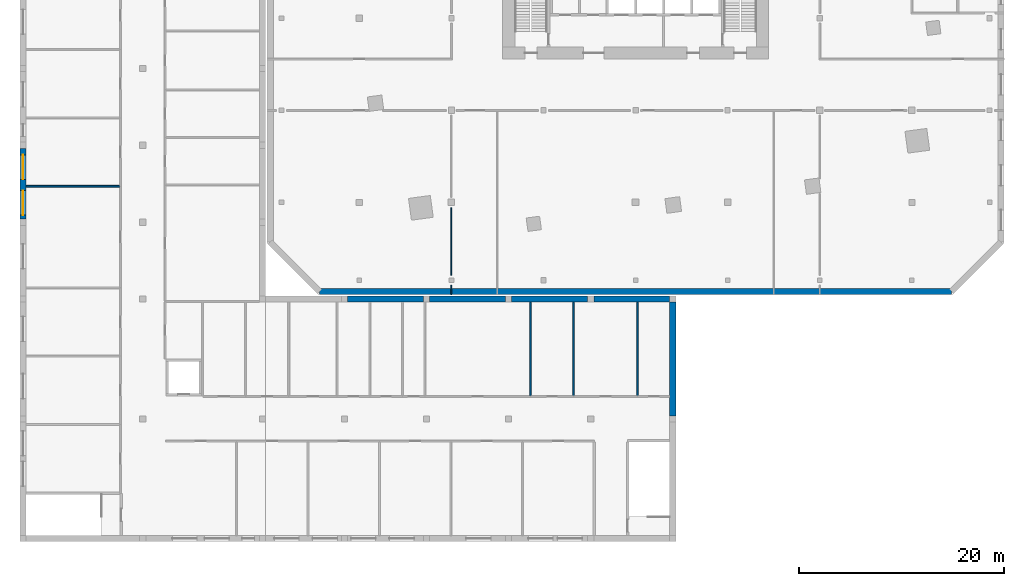
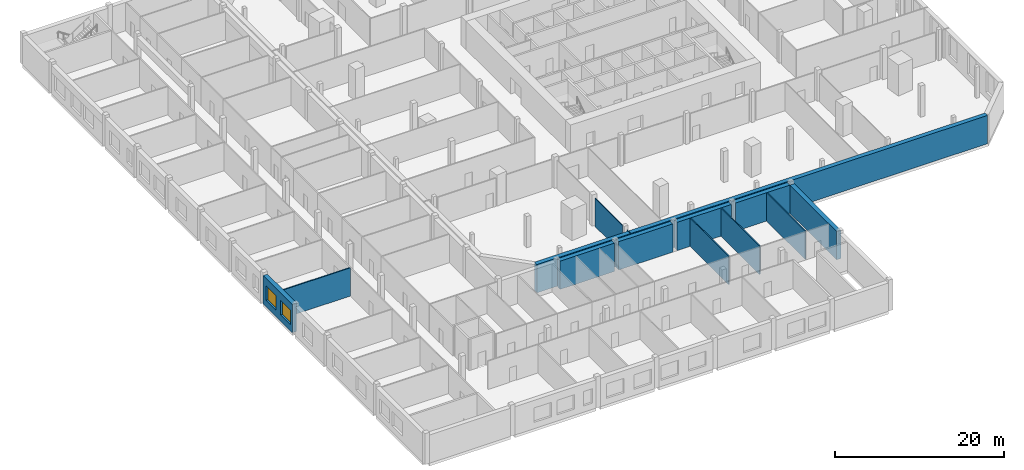
# One storey, part 5 of 18: 13 walls, 2 windows, 2 openings.
"""IFC4 building model written with IfcOpenShell, lengths in metres."""

import ifcopenshell
import ifcopenshell.guid

model = None  # the IFC model being written
_history = None  # IfcOwnerHistory: only IFC2X3 demands one
_inside = {}  # id of a spatial element -> (the spatial element, [elements in it])
_under = {}  # id of a project, library or spatial element -> (it, [spatial elements below it])
_declared = {}  # id of a project -> (the project, [libraries it declares])
_typed = {}  # id of a type object -> (the type object, [elements of that type])
_made_of = {}  # id of a material, layer set ... -> (it, [elements and type objects made of it])


def new_model(schema):
    """Start an empty IFC model of exactly this schema.

    Asked for "IFC4X3", IfcOpenShell would pick the latest addendum, in which some entities
    have other attributes; the version numbers below select the first issue.
    IFC2X3 requires an IfcOwnerHistory on every rooted entity: one is made here for all.
    """
    global model, _history
    if schema == "IFC4X3":
        model = ifcopenshell.file(schema_version=(4, 3, 0, 0))
    else:
        model = ifcopenshell.file(schema=schema)
    _inside.clear()
    _under.clear()
    _declared.clear()
    _typed.clear()
    _made_of.clear()
    _history = None
    if model.schema == "IFC2X3":
        org = make("IfcOrganization", Name="unknown")
        user = make(
            "IfcPersonAndOrganization",
            ThePerson=make("IfcPerson", FamilyName="unknown"),
            TheOrganization=org,
        )
        app = make(
            "IfcApplication",
            ApplicationDeveloper=org,
            Version="unknown",
            ApplicationFullName="unknown",
            ApplicationIdentifier="unknown",
        )
        _history = make(
            "IfcOwnerHistory",
            OwningUser=user,
            OwningApplication=app,
            ChangeAction="ADDED",
            CreationDate=0,
        )
    return model


def make(cls, **values):
    """One entity of the class cls with the attributes given. An attribute that is None is left unset."""
    return model.create_entity(
        cls, **{name: value for name, value in values.items() if value is not None}
    )


def rooted(cls, **values):
    """An entity with a GlobalId (a new one), such as an element, a storey or a relation."""
    return make(cls, GlobalId=ifcopenshell.guid.new(), OwnerHistory=_history, **values)


def si_unit(unit_type, name, prefix=None):
    """IfcSIUnit, for example si_unit("LENGTHUNIT", "METRE", prefix="MILLI")."""
    return make("IfcSIUnit", UnitType=unit_type, Prefix=prefix, Name=name)


def assignment(units):
    """IfcUnitAssignment: the units of a project."""
    return None if units is None else make("IfcUnitAssignment", Units=units)


def point(xyz):
    """IfcCartesianPoint."""
    return None if xyz is None else make("IfcCartesianPoint", Coordinates=xyz)


def direction(xyz):
    """IfcDirection."""
    return None if xyz is None else make("IfcDirection", DirectionRatios=xyz)


def frame(location, z_axis=None, x_axis=None):
    """IfcAxis2Placement3D, a coordinate frame: its origin and axes. An axis left out is left unset."""
    return make(
        "IfcAxis2Placement3D",
        Location=point(location),
        Axis=direction(z_axis),
        RefDirection=direction(x_axis),
    )


def frame_2d(location, x_axis=None):
    """IfcAxis2Placement2D, a coordinate frame in the plane: its origin and x axis."""
    return make(
        "IfcAxis2Placement2D", Location=point(location), RefDirection=direction(x_axis)
    )


def origin():
    """The frame at (0, 0, 0) with its axes left unset."""
    return frame((0.0, 0.0, 0.0))


def place(relative_to, where):
    """IfcLocalPlacement: puts the frame where relative to a parent placement (None: the world)."""
    return make(
        "IfcLocalPlacement", PlacementRelTo=relative_to, RelativePlacement=where
    )


def context(
    kind, dimensions, precision=None, world=None, true_north=None, identifier=None
):
    """IfcGeometricRepresentationContext, for example the 3D "Model" context."""
    return make(
        "IfcGeometricRepresentationContext",
        ContextIdentifier=identifier,
        ContextType=kind,
        CoordinateSpaceDimension=dimensions,
        Precision=precision,
        WorldCoordinateSystem=world,
        TrueNorth=true_north,
    )


def subcontext(parent, identifier, kind, view, scale=None):
    """IfcGeometricRepresentationSubContext, for example "Body" below "Model"."""
    return make(
        "IfcGeometricRepresentationSubContext",
        ContextIdentifier=identifier,
        ContextType=kind,
        ParentContext=parent,
        TargetScale=scale,
        TargetView=view,
    )


def project(units=None, contexts=None):
    """IfcProject with its units and contexts."""
    return rooted(
        "IfcProject",
        Name="project",
        RepresentationContexts=contexts,
        UnitsInContext=assignment(units),
    )


def spatial(cls, under=None, at=None, **own):
    """A site, building, storey or space (cls), placed at a placement, below another one or the project."""
    s = rooted(cls, ObjectPlacement=at, **own)
    if under is not None:
        _under.setdefault(under.id(), (under, []))[1].append(s)
    return s


def profile(cls, at=None, kind="AREA", **sizes):
    """A parametric profile (cls). Its sizes go by their IFC names, for example OverallWidth=200.0."""
    return make(cls, ProfileType=kind, Position=at, **sizes)


def rectangle(**sizes):
    """IfcRectangleProfileDef."""
    return profile("IfcRectangleProfileDef", **sizes)


def extrude(swept, where, along, depth):
    """IfcExtrudedAreaSolid: the profile swept, set in the frame where, extruded along a direction by depth."""
    return make(
        "IfcExtrudedAreaSolid",
        SweptArea=swept,
        Position=where,
        ExtrudedDirection=direction(along),
        Depth=depth,
    )


def shape(context_of_items, identifier, shape_type, items):
    """IfcShapeRepresentation: the items that make up one representation, for example the "Body"."""
    return make(
        "IfcShapeRepresentation",
        ContextOfItems=context_of_items,
        RepresentationIdentifier=identifier,
        RepresentationType=shape_type,
        Items=items,
    )


def material(Name=None, Category=None):
    """IfcMaterial."""
    return make("IfcMaterial", Name=Name, Category=Category)


def layer(
    of_material, thickness, ventilated=None, Name=None, Category=None, Priority=None
):
    """IfcMaterialLayer: one layer of a wall or slab, of a material (None: an air gap)."""
    return make(
        "IfcMaterialLayer",
        Material=of_material,
        LayerThickness=thickness,
        IsVentilated=ventilated,
        Name=Name,
        Category=Category,
        Priority=Priority,
    )


def layer_set(layers, Name=None):
    """IfcMaterialLayerSet."""
    return make("IfcMaterialLayerSet", MaterialLayers=layers, LayerSetName=Name)


def made_of(thing, what):
    """Note that an element or type object is made of a material, layer set ...; save() writes the relation."""
    if what is not None:
        _made_of.setdefault(what.id(), (what, []))[1].append(thing)
    return thing


def type_object(cls, material=None, **own):
    """A type object (cls), such as IfcWallType, which elements share."""
    return made_of(rooted(cls, **own), material)


def element(
    cls,
    number,
    at=None,
    inside=None,
    cuts=None,
    type_object=None,
    material=None,
    context=None,
    identifier="Body",
    shape_type=None,
    held_by="IfcProductDefinitionShape",
    body=None,
    shapes=None,
    **own,
):
    """One element of the class cls, such as IfcWall. Its Tag is "e" and its number.

    at: its placement. inside: the storey or other place that contains it. cuts: it is an
    opening in that element (IfcRelVoidsElement). A single representation is given by context,
    identifier, shape_type and body (its items); several are given by shapes. held_by: the class
    of the entity that holds the representations. save() writes the other relations.
    """
    e = rooted(cls, Tag="e%d" % number, ObjectPlacement=at, **own)
    if body is not None:
        shapes = [shape(context, identifier, shape_type, body)]
    if shapes is not None:
        e.Representation = make(held_by, Representations=shapes)
    if inside is not None:
        _inside.setdefault(inside.id(), (inside, []))[1].append(e)
    if cuts is not None:
        rooted(
            "IfcRelVoidsElement", RelatingBuildingElement=cuts, RelatedOpeningElement=e
        )
    if type_object is not None:
        _typed.setdefault(type_object.id(), (type_object, []))[1].append(e)
    return made_of(e, material)


def fill(opening, filler):
    """IfcRelFillsElement: the door or window that sits in an opening."""
    return rooted(
        "IfcRelFillsElement",
        RelatingOpeningElement=opening,
        RelatedBuildingElement=filler,
    )


def aggregate(whole, parts):
    """IfcRelAggregates: a whole, such as a stair, and the parts it consists of."""
    return rooted("IfcRelAggregates", RelatingObject=whole, RelatedObjects=parts)


def save(model, path):
    """Write the relations noted so far, then the file.

    IfcRelAggregates (storeys below a building ...), IfcRelContainedInSpatialStructure (elements
    in a storey), IfcRelDefinesByType, IfcRelAssociatesMaterial and IfcRelDeclares: one each for
    every whole, place, type object, material and project.
    """
    for whole, parts in _under.values():
        aggregate(whole, parts)
    for where, things in _inside.values():
        rooted(
            "IfcRelContainedInSpatialStructure",
            RelatedElements=things,
            RelatingStructure=where,
        )
    for kind, things in _typed.values():
        rooted("IfcRelDefinesByType", RelatedObjects=things, RelatingType=kind)
    for what, things in _made_of.values():
        rooted("IfcRelAssociatesMaterial", RelatedObjects=things, RelatingMaterial=what)
    for by, libraries in _declared.values():
        rooted("IfcRelDeclares", RelatingContext=by, RelatedDefinitions=libraries)
    model.write(path)


model = new_model("IFC4")

# Units and contexts
model_context = context("Model", 3, precision=1e-05, world=origin(), true_north=direction((0.0, 1.0)))
body_context = subcontext(model_context, "Body", "Model", "MODEL_VIEW")
ifc_project = project(units=[si_unit("LENGTHUNIT", "METRE"), si_unit("AREAUNIT", "SQUARE_METRE"), si_unit("VOLUMEUNIT", "CUBIC_METRE"), si_unit("PLANEANGLEUNIT", "RADIAN"), si_unit("MASSUNIT", "GRAM", prefix="KILO")], contexts=[model_context])

# Site, building, storey
site_placement = place(None, origin())
site = spatial("IfcSite", under=ifc_project, at=site_placement, CompositionType="ELEMENT")
building_placement = place(site_placement, origin())
building = spatial("IfcBuilding", under=site, at=building_placement, Name="Dilmun Exchange Tower", CompositionType="ELEMENT")
storey_placement = place(building_placement, frame((0.0, 0.0, 13.5)))
storey = spatial("IfcBuildingStorey", under=building, at=storey_placement, Name="L03", CompositionType="ELEMENT", Elevation=13.5)

# Walls
ifc_material_1 = material(Name="Partition 100 gypsum")
ifc_layer_1 = layer(ifc_material_1, 0.10009765625)
ifc_layer_set_1 = layer_set([ifc_layer_1], Name="Partition 100 gypsum")
wall_type_1 = type_object("IfcWallType", Name="Partition 100 gypsum", PredefinedType="PARTITIONING", material=ifc_layer_set_1)
wall_1_placement = place(storey_placement, frame((-18.0, -36.0, 0.0), z_axis=(0.0, 0.0, 1.0), x_axis=(0.0, 1.0, 0.0)))
element("IfcWall", 1, at=wall_1_placement, inside=storey, type_object=wall_type_1, Name="L03 partition", PredefinedType="PARTITIONING", context=body_context, shape_type="SweptSolid", body=[
    extrude(rectangle(XDim=0.89990234375, YDim=0.10009765625, at=frame_2d((0.449951171875, 0.0))), origin(), (0.0, 0.0, 1.0), 4.10009765625),
])
wall_2_placement = place(storey_placement, frame((-18.0, -34.10009765625, 0.0), z_axis=(0.0, 0.0, 1.0), x_axis=(0.0, 1.0, 0.0)))
element("IfcWall", 2, at=wall_2_placement, inside=storey, type_object=wall_type_1, Name="L03 partition", PredefinedType="PARTITIONING", context=body_context, shape_type="SweptSolid", body=[
    extrude(rectangle(XDim=6.60009765625, YDim=0.10009765625, at=frame_2d((3.300048828125, 0.0))), origin(), (0.0, 0.0, 1.0), 4.10009765625),
])
ifc_material_2 = material(Name="Precast concrete C50/60", Category="concrete")
ifc_layer_2 = layer(ifc_material_2, 0.60009765625)
ifc_layer_set_2 = layer_set([ifc_layer_2], Name="Precast concrete C50/60")
wall_type_2 = type_object("IfcWallType", Name="Precast stone-clad wall 600", PredefinedType="STANDARD", material=ifc_layer_set_2)
wall_3_placement = place(storey_placement, frame((-30.875732421875, -35.699951171875, 0.0), z_axis=(0.0, 0.0, 1.0), x_axis=(1.0, 0.0, 0.0)))
element("IfcWall", 3, at=wall_3_placement, inside=storey, type_object=wall_type_2, Name="Facade wall L03-00-0", PredefinedType="STANDARD", context=body_context, shape_type="SweptSolid", body=[
    extrude(rectangle(XDim=61.75146484375, YDim=0.60009765625, at=frame_2d((30.875732421875, 0.0))), origin(), (0.0, 0.0, 1.0), 4.10009765625),
])

# Wall, openings, windows
ifc_material_3 = material(Name="Precast concrete C40/50", Category="concrete")
ifc_layer_3 = layer(ifc_material_3, 0.60009765625)
ifc_layer_set_3 = layer_set([ifc_layer_3], Name="Precast concrete C40/50")
wall_type_3 = type_object("IfcWallType", Name="School external wall 600 precast C40/50", PredefinedType="STANDARD", material=ifc_layer_set_3)
wall_4_placement = place(storey_placement, frame((-59.85009765625, -28.6357421875, 0.0), z_axis=(0.0, 0.0, 1.0), x_axis=(0.0, 1.0, 0.0)))
wall_4 = element("IfcWall", 4, at=wall_4_placement, inside=storey, type_object=wall_type_3, Name="School external wall", PredefinedType="STANDARD", context=body_context, shape_type="SweptSolid", body=[
    extrude(rectangle(XDim=6.914306640625, YDim=0.60009765625, at=frame_2d((3.45703125, 0.0))), origin(), (0.0, 0.0, 1.0), 4.10009765625),
])
opening_1_placement = place(wall_4_placement, frame((0.384765625, 0.0, 0.89990234375)))
opening_1 = element("IfcOpeningElement", 5, at=opening_1_placement, cuts=wall_4, Name="Opening SCH-W24", PredefinedType="OPENING", context=body_context, shape_type="SweptSolid", body=[
    extrude(rectangle(XDim=2.39990234375, YDim=2.10009765625, at=frame_2d((1.199951171875, 1.050048828125))), frame((0.0, 0.31005859375, 0.0), z_axis=(0.0, -1.0, 0.0), x_axis=(1.0, 0.0, 0.0)), (0.0, 0.0, 1.0), 0.6201171875),
])
opening_2_placement = place(wall_4_placement, frame((3.886962890625, 0.0, 0.89990234375)))
opening_2 = element("IfcOpeningElement", 6, at=opening_2_placement, cuts=wall_4, Name="Opening SCH-W24", PredefinedType="OPENING", context=body_context, shape_type="SweptSolid", body=[
    extrude(rectangle(XDim=2.39990234375, YDim=2.10009765625, at=frame_2d((1.199951171875, 1.050048828125))), frame((0.0, 0.31005859375, 0.0), z_axis=(0.0, -1.0, 0.0), x_axis=(1.0, 0.0, 0.0)), (0.0, 0.0, 1.0), 0.6201171875),
])
ifc_material_4 = material(Name="Clear low-emissivity glass in aluminium frame", Category="aluminium")
window_type = type_object("IfcWindowType", Name="School window 2400 x 2100", PartitioningType="DOUBLE_PANEL_VERTICAL", PredefinedType="WINDOW", material=ifc_material_4)
window_1_placement = place(opening_1_placement, origin())
window_1 = element("IfcWindow", 7, at=window_1_placement, inside=storey, type_object=window_type, Name="School window", OverallHeight=2.10009765625, OverallWidth=2.39990234375, PartitioningType="SINGLE_PANEL", PredefinedType="WINDOW", context=body_context, shape_type="SweptSolid", body=[
    extrude(rectangle(XDim=2.39990234375, YDim=2.10009765625, at=frame_2d((1.199951171875, 1.050048828125))), frame((0.0, 0.030029296875, 0.0), z_axis=(0.0, -1.0, 0.0), x_axis=(1.0, 0.0, 0.0)), (0.0, 0.0, 1.0), 0.06005859375),
])
fill(opening_1, window_1)
window_2_placement = place(opening_2_placement, origin())
window_2 = element("IfcWindow", 8, at=window_2_placement, inside=storey, type_object=window_type, Name="School window", OverallHeight=2.10009765625, OverallWidth=2.39990234375, PartitioningType="SINGLE_PANEL", PredefinedType="WINDOW", context=body_context, shape_type="SweptSolid", body=[
    extrude(rectangle(XDim=2.39990234375, YDim=2.10009765625, at=frame_2d((1.199951171875, 1.050048828125))), frame((0.0, 0.030029296875, 0.0), z_axis=(0.0, -1.0, 0.0), x_axis=(1.0, 0.0, 0.0)), (0.0, 0.0, 1.0), 0.06005859375),
])
fill(opening_2, window_2)

# Walls
wall_5_placement = place(storey_placement, frame((-28.13330078125, -36.449951171875, 0.0), z_axis=(0.0, 0.0, 1.0), x_axis=(1.0, 0.0, 0.0)))
element("IfcWall", 9, at=wall_5_placement, inside=storey, type_object=wall_type_3, Name="School external wall", PredefinedType="STANDARD", context=body_context, shape_type="SweptSolid", body=[
    extrude(rectangle(XDim=7.41650390625, YDim=0.60009765625, at=frame_2d((3.708251953125, 0.0))), origin(), (0.0, 0.0, 1.0), 4.10009765625),
])
for number, where, z_axis, x_axis, name in (
    (10, (-20.11669921875, -36.449951171875, 0.0), (0.0, 0.0, 1.0), (1.0, 0.0, 0.0), "School external wall"),
    (11, (-12.10009765625, -36.449951171875, 0.0), (0.0, 0.0, 1.0), (1.0, 0.0, 0.0), "School external wall"),
):
    element("IfcWall", number, at=place(storey_placement, frame(where, z_axis=z_axis, x_axis=x_axis)), inside=storey, type_object=wall_type_3, Name=name, PredefinedType="STANDARD", context=body_context, shape_type="SweptSolid", body=[
        extrude(rectangle(XDim=7.416748046875, YDim=0.60009765625, at=frame_2d((3.70849609375, 0.0))), origin(), (0.0, 0.0, 1.0), 4.10009765625),
    ])
wall_6_placement = place(storey_placement, frame((-4.083251953125, -36.449951171875, 0.0), z_axis=(0.0, 0.0, 1.0), x_axis=(1.0, 0.0, 0.0)))
element("IfcWall", 12, at=wall_6_placement, inside=storey, type_object=wall_type_3, Name="School external wall", PredefinedType="STANDARD", context=body_context, shape_type="SweptSolid", body=[
    extrude(rectangle(XDim=7.41650390625, YDim=0.60009765625, at=frame_2d((3.708251953125, 0.0))), origin(), (0.0, 0.0, 1.0), 4.10009765625),
])
wall_7_placement = place(storey_placement, frame((3.63330078125, -36.75, 0.0), z_axis=(0.0, 0.0, 1.0), x_axis=(0.0, -1.0, 0.0)))
element("IfcWall", 13, at=wall_7_placement, inside=storey, type_object=wall_type_3, Name="School external wall", PredefinedType="STANDARD", context=body_context, shape_type="SweptSolid", body=[
    extrude(rectangle(XDim=11.10009765625, YDim=0.60009765625, at=frame_2d((5.550048828125, 0.0))), origin(), (0.0, 0.0, 1.0), 4.10009765625),
])
ifc_material_5 = material(Name="Gypsum board on steel studs", Category="steel")
ifc_layer_4 = layer(ifc_material_5, 0.14990234375)
ifc_layer_set_4 = layer_set([ifc_layer_4], Name="Gypsum board on steel studs")
wall_type_4 = type_object("IfcWallType", Name="School partition 150 gypsum board", PredefinedType="PARTITIONING", material=ifc_layer_set_4)
wall_8_placement = place(storey_placement, frame((-59.550048828125, -25.421142578125, 0.0), z_axis=(0.0, 0.0, 1.0), x_axis=(1.0, 0.0, 0.0)))
element("IfcWall", 14, at=wall_8_placement, inside=storey, type_object=wall_type_4, Name="School partition", PredefinedType="PARTITIONING", context=body_context, shape_type="SweptSolid", body=[
    extrude(rectangle(XDim=9.150146484375, YDim=0.14990234375, at=frame_2d((4.5751953125, 0.0))), origin(), (0.0, 0.0, 1.0), 4.10009765625),
])
for number, where, z_axis, x_axis, name in (
    (15, (-10.260986328125, -45.89990234375, 0.0), (0.0, 0.0, 1.0), (0.0, 1.0, 0.0), "School partition"),
    (16, (-6.043701171875, -45.89990234375, 0.0), (0.0, 0.0, 1.0), (0.0, 1.0, 0.0), "School partition"),
    (17, (0.20751953125, -45.89990234375, 0.0), (0.0, 0.0, 1.0), (0.0, 1.0, 0.0), "School partition"),
):
    element("IfcWall", number, at=place(storey_placement, frame(where, z_axis=z_axis, x_axis=x_axis)), inside=storey, type_object=wall_type_4, Name=name, PredefinedType="PARTITIONING", context=body_context, shape_type="SweptSolid", body=[
        extrude(rectangle(XDim=9.14990234375, YDim=0.14990234375, at=frame_2d((4.574951171875, 0.0))), origin(), (0.0, 0.0, 1.0), 4.10009765625),
    ])

save(model, "model.ifc")
